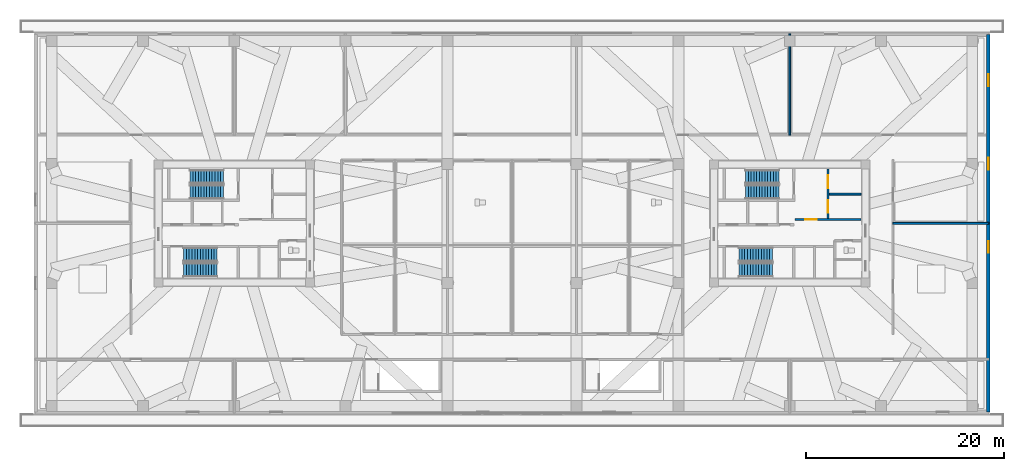
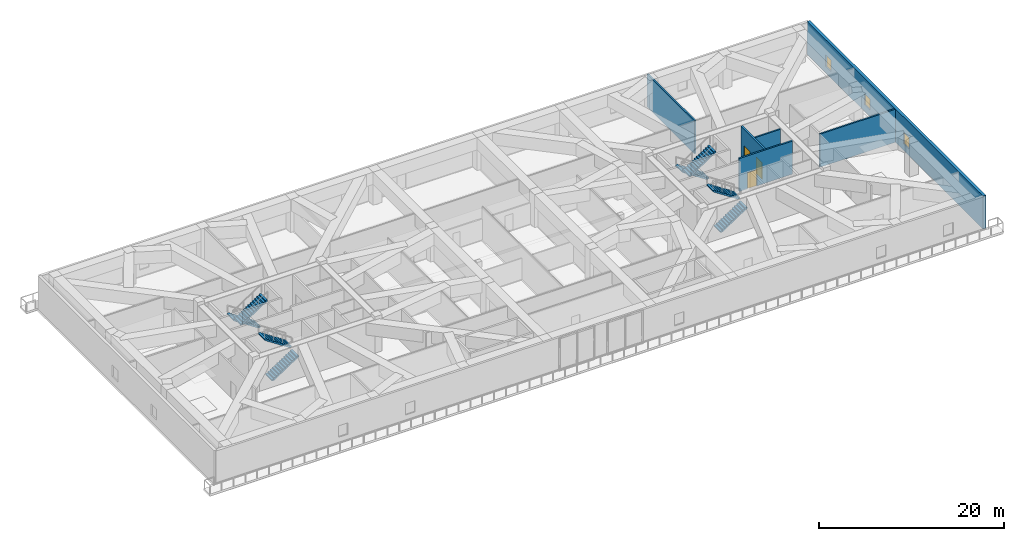
# One storey, part 12 of 21: 8 stair flights, 6 walls, 3 doors, 3 windows, 6 openings, 4 elements without a shape of their own.
"""IFC4 building model written with IfcOpenShell, lengths in metres."""

from ifc_helpers import new_model, si_unit, direction, frame, frame_2d, origin, place, context, subcontext, project, spatial, polyline, rectangle, outline, extrude, source, transform, mapped, material, layer, layer_set, type_object, type_shapes, element, fill, aggregate, save


model = new_model("IFC4")

# Units and contexts
model_context = context("Model", 3, precision=1e-05, world=origin(), true_north=direction((0.0, 1.0)))
body_context = subcontext(model_context, "Body", "Model", "MODEL_VIEW")
ifc_project = project(units=[si_unit("LENGTHUNIT", "METRE"), si_unit("AREAUNIT", "SQUARE_METRE"), si_unit("VOLUMEUNIT", "CUBIC_METRE"), si_unit("PLANEANGLEUNIT", "RADIAN"), si_unit("MASSUNIT", "GRAM", prefix="KILO")], contexts=[model_context])

# Site, building, storey
site_placement = place(None, origin())
site = spatial("IfcSite", under=ifc_project, at=site_placement, CompositionType="ELEMENT")
building_placement = place(site_placement, origin())
building = spatial("IfcBuilding", under=site, at=building_placement, Name="Norrkilde Senior Care Towers", CompositionType="ELEMENT")
storey_placement = place(building_placement, frame((0.0, 0.0, 16.800048828125)))
storey = spatial("IfcBuildingStorey", under=building, at=storey_placement, Name="L04", CompositionType="ELEMENT", Elevation=16.800048828125)

# Wall, openings, windows
ifc_material_1 = material(Name="Precast concrete C45/55", Category="concrete")
ifc_layer_1 = layer(ifc_material_1, 0.360107421875)
ifc_layer_set_1 = layer_set([ifc_layer_1], Name="Precast concrete C45/55")
wall_type_1 = type_object("IfcWallType", Name="Podium Facade Wall 360", PredefinedType="SOLIDWALL", material=ifc_layer_set_1)
shared_shape_1 = source(origin(), body_context, "Body", "SweptSolid", [
    extrude(rectangle(XDim=38.0400390625, YDim=0.360107421875, at=frame_2d((19.02001953125, 0.0))), origin(), (0.0, 0.0, 1.0), 4.3798828125),
])
type_shapes(wall_type_1, [shared_shape_1])
wall_1_placement = place(storey_placement, frame((48.02001953125, 19.02001953125, 0.0), z_axis=(0.0, 0.0, 1.0), x_axis=(0.0, -1.0, 0.0)))
wall_1 = element("IfcWall", 1, at=wall_1_placement, inside=storey, type_object=wall_type_1, Name="L04 Podium E Facade Wall", PredefinedType="SOLIDWALL", context=body_context, shape_type="MappedRepresentation", body=[
    mapped(shared_shape_1, transform((0.0, 0.0, 0.0), x_axis=(1.0, 0.0, 0.0), y_axis=(0.0, 1.0, 0.0), z_axis=(0.0, 0.0, 1.0), scale=1.0)),
])
opening_1_placement = place(wall_1_placement, frame((4.0, 0.0, 0.85009765625)))
opening_1 = element("IfcOpeningElement", 2, at=opening_1_placement, cuts=wall_1, Name="Opening WN-07", PredefinedType="OPENING", context=body_context, shape_type="SweptSolid", body=[
    extrude(rectangle(XDim=1.199951171875, YDim=1.5, at=frame_2d((0.60009765625, 0.75))), frame((0.0, 0.18994140625, 0.0), z_axis=(0.0, -1.0, 0.0), x_axis=(1.0, 0.0, 0.0)), (0.0, 0.0, 1.0), 0.380126953125),
])
opening_2_placement = place(wall_1_placement, frame((12.39990234375, 0.0, 0.85009765625)))
opening_2 = element("IfcOpeningElement", 3, at=opening_2_placement, cuts=wall_1, Name="Opening WN-07", PredefinedType="OPENING", context=body_context, shape_type="SweptSolid", body=[
    extrude(rectangle(XDim=1.199951171875, YDim=1.5, at=frame_2d((0.60009765625, 0.75))), frame((0.0, 0.18994140625, 0.0), z_axis=(0.0, -1.0, 0.0), x_axis=(1.0, 0.0, 0.0)), (0.0, 0.0, 1.0), 0.380126953125),
])
opening_3_placement = place(wall_1_placement, frame((20.800048828125, 0.0, 0.85009765625)))
opening_3 = element("IfcOpeningElement", 4, at=opening_3_placement, cuts=wall_1, Name="Opening WN-07", PredefinedType="OPENING", context=body_context, shape_type="SweptSolid", body=[
    extrude(rectangle(XDim=1.199951171875, YDim=1.5, at=frame_2d((0.60009765625, 0.75))), frame((0.0, 0.18994140625, 0.0), z_axis=(0.0, -1.0, 0.0), x_axis=(1.0, 0.0, 0.0)), (0.0, 0.0, 1.0), 0.380126953125),
])
ifc_material_2 = material(Name="Triple Low-E Insulated Glazing", Category="glass")
window_type = type_object("IfcWindowType", Name="Stairwell Smoke Vent Window 1200x1500", PartitioningType="SINGLE_PANEL", PredefinedType="WINDOW", material=ifc_material_2)
shared_shape_2 = source(origin(), body_context, "Body", "SweptSolid", [
    extrude(rectangle(XDim=1.199951171875, YDim=1.5, at=frame_2d((0.60009765625, 0.75))), frame((0.0, 0.030029296875, 0.0), z_axis=(0.0, -1.0, 0.0), x_axis=(1.0, 0.0, 0.0)), (0.0, 0.0, 1.0), 0.06005859375),
])
type_shapes(window_type, [shared_shape_2])
window_1_placement = place(opening_1_placement, origin())
window_1 = element("IfcWindow", 5, at=window_1_placement, inside=storey, type_object=window_type, Name="L04 E Window 01", OverallHeight=1.5, OverallWidth=1.199951171875, PartitioningType="SINGLE_PANEL", PredefinedType="WINDOW", context=body_context, shape_type="MappedRepresentation", body=[
    mapped(shared_shape_2, transform((0.0, 0.0, 0.0), x_axis=(1.0, 0.0, 0.0), y_axis=(0.0, 1.0, 0.0), z_axis=(0.0, 0.0, 1.0), scale=1.0)),
])
fill(opening_1, window_1)
window_2_placement = place(opening_2_placement, origin())
window_2 = element("IfcWindow", 6, at=window_2_placement, inside=storey, type_object=window_type, Name="L04 E Window 02", OverallHeight=1.5, OverallWidth=1.199951171875, PartitioningType="SINGLE_PANEL", PredefinedType="WINDOW", context=body_context, shape_type="MappedRepresentation", body=[
    mapped(shared_shape_2, transform((0.0, 0.0, 0.0), x_axis=(1.0, 0.0, 0.0), y_axis=(0.0, 1.0, 0.0), z_axis=(0.0, 0.0, 1.0), scale=1.0)),
])
fill(opening_2, window_2)
window_3_placement = place(opening_3_placement, origin())
window_3 = element("IfcWindow", 7, at=window_3_placement, inside=storey, type_object=window_type, Name="L04 E Window 03", OverallHeight=1.5, OverallWidth=1.199951171875, PartitioningType="SINGLE_PANEL", PredefinedType="WINDOW", context=body_context, shape_type="MappedRepresentation", body=[
    mapped(shared_shape_2, transform((0.0, 0.0, 0.0), x_axis=(1.0, 0.0, 0.0), y_axis=(0.0, 1.0, 0.0), z_axis=(0.0, 0.0, 1.0), scale=1.0)),
])
fill(opening_3, window_3)

# Wall, openings, doors
ifc_material_3 = material(Name="Concrete C45/55", Category="concrete")
ifc_layer_2 = layer(ifc_material_3, 0.239990234375)
ifc_layer_set_2 = layer_set([ifc_layer_2], Name="Concrete C45/55")
wall_type_2 = type_object("IfcWallType", Name="Lift and Plant Rated Enclosure Partition 240", PredefinedType="PARTITIONING", material=ifc_layer_set_2)
shared_shape_3 = source(origin(), body_context, "Body", "SweptSolid", [
    extrude(rectangle(XDim=5.0, YDim=0.239990234375, at=frame_2d((2.5, 0.0))), origin(), (0.0, 0.0, 1.0), 4.364990234375),
])
type_shapes(wall_type_2, [shared_shape_3])
wall_2_placement = place(storey_placement, frame((31.860107421875, 0.5, 0.0), z_axis=(0.0, 0.0, 1.0), x_axis=(0.0, 1.0, 0.0)))
wall_2 = element("IfcWall", 8, at=wall_2_placement, inside=storey, type_object=wall_type_2, Name="WL-INT-L04-E-FFLE", PredefinedType="PARTITIONING", context=body_context, shape_type="MappedRepresentation", body=[
    mapped(shared_shape_3, transform((0.0, 0.0, 0.0), x_axis=(1.0, 0.0, 0.0), y_axis=(0.0, 1.0, 0.0), z_axis=(0.0, 0.0, 1.0), scale=1.0)),
])
opening_4_placement = place(wall_2_placement, frame((3.050048828125, 0.0, 0.0)))
opening_4 = element("IfcOpeningElement", 9, at=opening_4_placement, cuts=wall_2, Name="Opening LD-02", PredefinedType="OPENING", context=body_context, shape_type="SweptSolid", body=[
    extrude(rectangle(XDim=1.300048828125, YDim=2.199951171875, at=frame_2d((0.64990234375, 1.10009765625))), frame((0.0, 0.1298828125, 0.0), z_axis=(0.0, -1.0, 0.0), x_axis=(1.0, 0.0, 0.0)), (0.0, 0.0, 1.0), 0.260009765625),
])
opening_5_placement = place(wall_2_placement, frame((0.550048828125, 0.0, 0.0)))
opening_5 = element("IfcOpeningElement", 10, at=opening_5_placement, cuts=wall_2, Name="Opening LD-02", PredefinedType="OPENING", context=body_context, shape_type="SweptSolid", body=[
    extrude(rectangle(XDim=1.300048828125, YDim=2.199951171875, at=frame_2d((0.64990234375, 1.10009765625))), frame((0.0, 0.1298828125, 0.0), z_axis=(0.0, -1.0, 0.0), x_axis=(1.0, 0.0, 0.0)), (0.0, 0.0, 1.0), 0.260009765625),
])
ifc_material_4 = material(Name="Stainless Steel", Category="steel")
door_type_1 = type_object("IfcDoorType", Name="Stretcher and FFL Landing Sliding Door 1300x2200", OperationType="NOTDEFINED", PredefinedType="DOOR", material=ifc_material_4)
shared_shape_4 = source(origin(), body_context, "Body", "SweptSolid", [
    extrude(rectangle(XDim=1.300048828125, YDim=2.199951171875, at=frame_2d((0.64990234375, 1.10009765625))), frame((0.0, 0.02490234375, 0.0), z_axis=(0.0, -1.0, 0.0), x_axis=(1.0, 0.0, 0.0)), (0.0, 0.0, 1.0), 0.050048828125),
])
type_shapes(door_type_1, [shared_shape_4])
door_1_placement = place(opening_4_placement, origin())
door_1 = element("IfcDoor", 11, at=door_1_placement, inside=storey, type_object=door_type_1, Name="L04 Firefighting Lift E1 Landing Door", OperationType="SLIDING_TO_LEFT", OverallHeight=2.199951171875, OverallWidth=1.300048828125, PredefinedType="DOOR", context=body_context, shape_type="MappedRepresentation", body=[
    mapped(shared_shape_4, transform((0.0, 0.0, 0.0), x_axis=(1.0, 0.0, 0.0), y_axis=(0.0, 1.0, 0.0), z_axis=(0.0, 0.0, 1.0), scale=1.0)),
])
fill(opening_4, door_1)
door_2_placement = place(opening_5_placement, origin())
door_2 = element("IfcDoor", 12, at=door_2_placement, inside=storey, type_object=door_type_1, Name="L04 Stretcher Lift E1 Landing Door", OperationType="SLIDING_TO_RIGHT", OverallHeight=2.199951171875, OverallWidth=1.300048828125, PredefinedType="DOOR", context=body_context, shape_type="MappedRepresentation", body=[
    mapped(shared_shape_4, transform((0.0, 0.0, 0.0), x_axis=(1.0, 0.0, 0.0), y_axis=(0.0, 1.0, 0.0), z_axis=(0.0, 0.0, 1.0), scale=1.0)),
])
fill(opening_5, door_2)

# Wall
ifc_layer_3 = layer(ifc_material_3, 0.199951171875)
ifc_layer_set_3 = layer_set([ifc_layer_3], Name="Concrete C45/55")
wall_type_3 = type_object("IfcWallType", Name="Shaft Division and Plant Partition 200", PredefinedType="PARTITIONING", material=ifc_layer_set_3)
shared_shape_5 = source(origin(), body_context, "Body", "SweptSolid", [
    extrude(rectangle(XDim=3.199951171875, YDim=0.199951171875, at=frame_2d((1.60009765625, 0.0))), origin(), (0.0, 0.0, 1.0), 4.364990234375),
])
type_shapes(wall_type_3, [shared_shape_5])
wall_3_placement = place(storey_placement, frame((32.0, 2.949951171875, 0.0), z_axis=(0.0, 0.0, 1.0), x_axis=(1.0, 0.0, 0.0)))
element("IfcWall", 13, at=wall_3_placement, inside=storey, type_object=wall_type_3, Name="WL-INT-L04-E-FFLDIV", PredefinedType="PARTITIONING", context=body_context, shape_type="MappedRepresentation", body=[
    mapped(shared_shape_5, transform((0.0, 0.0, 0.0), x_axis=(1.0, 0.0, 0.0), y_axis=(0.0, 1.0, 0.0), z_axis=(0.0, 0.0, 1.0), scale=1.0)),
])

# Wall, opening, door
ifc_layer_4 = layer(ifc_material_3, 0.2099609375)
ifc_layer_set_4 = layer_set([ifc_layer_4], Name="Concrete C45/55")
wall_type_4 = type_object("IfcWallType", Name="Firefighting Lobby Wall 210", PredefinedType="PARTITIONING", material=ifc_layer_set_4)
shared_shape_6 = source(origin(), body_context, "Body", "SweptSolid", [
    extrude(rectangle(XDim=6.659912109375, YDim=0.2099609375, at=frame_2d((3.330078125, 0.0))), origin(), (0.0, 0.0, 1.0), 4.364990234375),
])
type_shapes(wall_type_4, [shared_shape_6])
wall_4_placement = place(storey_placement, frame((28.5400390625, 0.389892578125, 0.0), z_axis=(0.0, 0.0, 1.0), x_axis=(1.0, 0.0, 0.0)))
wall_4 = element("IfcWall", 14, at=wall_4_placement, inside=storey, type_object=wall_type_4, Name="WL-INT-L04-E-FFLS", PredefinedType="PARTITIONING", context=body_context, shape_type="MappedRepresentation", body=[
    mapped(shared_shape_6, transform((0.0, 0.0, 0.0), x_axis=(1.0, 0.0, 0.0), y_axis=(0.0, 1.0, 0.0), z_axis=(0.0, 0.0, 1.0), scale=1.0)),
])
opening_6_placement = place(wall_4_placement, frame((1.0, 0.0, 0.0)))
opening_6 = element("IfcOpeningElement", 15, at=opening_6_placement, cuts=wall_4, Name="Opening D-04", PredefinedType="OPENING", context=body_context, shape_type="SweptSolid", body=[
    extrude(rectangle(XDim=1.199951171875, YDim=2.14990234375, at=frame_2d((0.60009765625, 1.074951171875))), frame((0.0, 0.114990234375, 0.0), z_axis=(0.0, -1.0, 0.0), x_axis=(1.0, 0.0, 0.0)), (0.0, 0.0, 1.0), 0.22998046875),
])
ifc_material_5 = material(Name="Galvanised Painted Steel", Category="steel")
door_type_2 = type_object("IfcDoorType", Name="Firefighting Lobby Fire Door 1200x2150", OperationType="NOTDEFINED", PredefinedType="DOOR", material=ifc_material_5)
shared_shape_7 = source(origin(), body_context, "Body", "SweptSolid", [
    extrude(rectangle(XDim=1.199951171875, YDim=2.14990234375, at=frame_2d((0.60009765625, 1.074951171875))), frame((0.0, 0.02490234375, 0.0), z_axis=(0.0, -1.0, 0.0), x_axis=(1.0, 0.0, 0.0)), (0.0, 0.0, 1.0), 0.050048828125),
])
type_shapes(door_type_2, [shared_shape_7])
door_3_placement = place(opening_6_placement, frame((1.199951171875, 0.0, 0.0), z_axis=(0.0, 0.0, 1.0), x_axis=(-1.0, 0.0, 0.0)))
door_3 = element("IfcDoor", 16, at=door_3_placement, inside=storey, type_object=door_type_2, Name="L04 Firefighting Lobby E Door", OperationType="SINGLE_SWING_LEFT", OverallHeight=2.14990234375, OverallWidth=1.199951171875, PredefinedType="DOOR", context=body_context, shape_type="MappedRepresentation", body=[
    mapped(shared_shape_7, transform((0.0, 0.0, 0.0), x_axis=(1.0, 0.0, 0.0), y_axis=(0.0, 1.0, 0.0), z_axis=(0.0, 0.0, 1.0), scale=1.0)),
])
fill(opening_6, door_3)

# Walls
ifc_material_6 = material(Name="Gypsum Acoustic Board")
ifc_layer_5 = layer(ifc_material_6, 0.18994140625)
ifc_layer_set_5 = layer_set([ifc_layer_5], Name="Gypsum Acoustic Board")
wall_type_5 = type_object("IfcWallType", Name="Unit Demising Acoustic Wall 190", PredefinedType="PARTITIONING", material=ifc_layer_set_5)
shared_shape_8 = source(origin(), body_context, "Body", "SweptSolid", [
    extrude(rectangle(XDim=9.650146484375, YDim=0.18994140625, at=frame_2d((4.8251953125, 0.0))), origin(), (0.0, 0.0, 1.0), 4.364990234375),
])
wall_5_placement = place(storey_placement, frame((38.39990234375, 0.0, 0.0), z_axis=(0.0, 0.0, 1.0), x_axis=(1.0, 0.0, 0.0)))
element("IfcWall", 17, at=wall_5_placement, inside=storey, type_object=wall_type_5, Name="WL-INT-L04-POD-OEH", PredefinedType="PARTITIONING", context=body_context, shape_type="MappedRepresentation", body=[
    mapped(shared_shape_8, transform((0.0, 0.0, 0.0), x_axis=(1.0, 0.0, 0.0), y_axis=(0.0, 1.0, 0.0), z_axis=(0.0, 0.0, 1.0), scale=1.0)),
])
shared_shape_9 = source(origin(), body_context, "Body", "SweptSolid", [
    extrude(rectangle(XDim=10.2001953125, YDim=0.18994140625, at=frame_2d((5.10009765625, 0.0))), origin(), (0.0, 0.0, 1.0), 4.364990234375),
])
type_shapes(wall_type_5, [shared_shape_8, shared_shape_9])
wall_6_placement = place(storey_placement, frame((28.0, 8.89990234375, 0.0), z_axis=(0.0, 0.0, 1.0), x_axis=(0.0, 1.0, 0.0)))
element("IfcWall", 18, at=wall_6_placement, inside=storey, type_object=wall_type_5, Name="WL-INT-L04-POD-NPV4", PredefinedType="PARTITIONING", context=body_context, shape_type="MappedRepresentation", body=[
    mapped(shared_shape_9, transform((0.0, 0.0, 0.0), x_axis=(1.0, 0.0, 0.0), y_axis=(0.0, 1.0, 0.0), z_axis=(0.0, 0.0, 1.0), scale=1.0)),
])

# Stair, stair flights
stair_type = type_object("IfcStairType", Name="Core Protected Dogleg Stair Transfer 4800", PredefinedType="HALF_TURN_STAIR", material=ifc_material_3)
stair_1_placement = place(storey_placement, origin())
stair_1 = element("IfcStair", 19, at=stair_1_placement, inside=storey, type_object=stair_type, Name="L04 Protected Core Stair W1", PredefinedType="HALF_TURN_STAIR")
stair_flight_type = type_object("IfcStairFlightType", Name="Core Protected Dogleg Stair Transfer 4800 Flight", PredefinedType="STRAIGHT", material=ifc_material_3)
stair_flight_1_placement = place(storey_placement, frame((-29.10009765625, 4.699951171875, 0.0), z_axis=(0.0, 0.0, 1.0), x_axis=(-1.0, 0.0, 0.0)))
stair_flight_1 = element("IfcStairFlight", 20, at=stair_flight_1_placement, type_object=stair_flight_type, Name="ST-W1 flight 1", NumberOfRisers=13, NumberOfTreads=12, PredefinedType="STRAIGHT", RiserHeight=0.184615385, TreadLength=0.28, context=body_context, shape_type="SweptSolid", body=[
    extrude(outline(polyline([(0.0, 0.0), (0.0, 0.1845703125), (0.280029296875, 0.1845703125), (0.280029296875, 0.369140625), (0.56005859375, 0.369140625), (0.56005859375, 0.553955078125), (0.840087890625, 0.553955078125), (0.840087890625, 0.738525390625), (1.1201171875, 0.738525390625), (1.1201171875, 0.923095703125), (1.39990234375, 0.923095703125), (1.39990234375, 1.107666015625), (1.679931640625, 1.107666015625), (1.679931640625, 1.292236328125), (1.9599609375, 1.292236328125), (1.9599609375, 1.476806640625), (2.239990234375, 1.476806640625), (2.239990234375, 1.66162109375), (2.52001953125, 1.66162109375), (2.52001953125, 1.84619140625), (2.800048828125, 1.84619140625), (2.800048828125, 2.03076171875), (3.080078125, 2.03076171875), (3.080078125, 2.21533203125), (3.360107421875, 2.21533203125), (3.360107421875, 2.39990234375), (3.360107421875, 2.035888671875), (0.272216796875, 0.0), (0.0, 0.0)])), frame((0.0, 0.699951171875, 0.0), z_axis=(0.0, -1.0, 0.0), x_axis=(1.0, 0.0, 0.0)), (0.0, 0.0, 1.0), 1.39990234375),
])
stair_flight_2_placement = place(storey_placement, frame((-32.4599609375, 3.14990234375, 2.39990234375), z_axis=(0.0, 0.0, 1.0), x_axis=(1.0, 0.0, 0.0)))
stair_flight_2 = element("IfcStairFlight", 21, at=stair_flight_2_placement, type_object=stair_flight_type, Name="ST-W1 flight 2", NumberOfRisers=13, NumberOfTreads=12, PredefinedType="STRAIGHT", RiserHeight=0.184615385, TreadLength=0.28, context=body_context, shape_type="SweptSolid", body=[
    extrude(outline(polyline([(0.0, 0.0), (0.0, 0.1845703125), (0.280029296875, 0.1845703125), (0.280029296875, 0.369140625), (0.56005859375, 0.369140625), (0.56005859375, 0.553955078125), (0.840087890625, 0.553955078125), (0.840087890625, 0.738525390625), (1.1201171875, 0.738525390625), (1.1201171875, 0.923095703125), (1.39990234375, 0.923095703125), (1.39990234375, 1.107666015625), (1.679931640625, 1.107666015625), (1.679931640625, 1.292236328125), (1.9599609375, 1.292236328125), (1.9599609375, 1.476806640625), (2.239990234375, 1.476806640625), (2.239990234375, 1.66162109375), (2.52001953125, 1.66162109375), (2.52001953125, 1.84619140625), (2.800048828125, 1.84619140625), (2.800048828125, 2.03076171875), (3.080078125, 2.03076171875), (3.080078125, 2.21533203125), (3.360107421875, 2.21533203125), (3.360107421875, 2.39990234375), (3.360107421875, 2.035888671875), (0.272216796875, 0.0), (0.0, 0.0)])), frame((0.0, 0.699951171875, 0.0), z_axis=(0.0, -1.0, 0.0), x_axis=(1.0, 0.0, 0.0)), (0.0, 0.0, 1.0), 1.39990234375),
])
aggregate(stair_1, [stair_flight_1, stair_flight_2])

stair_2_placement = place(storey_placement, origin())
stair_2 = element("IfcStair", 22, at=stair_2_placement, inside=storey, type_object=stair_type, Name="L04 Protected Core Stair W2", PredefinedType="HALF_TURN_STAIR")
stair_flight_3_placement = place(storey_placement, frame((-33.10009765625, -4.699951171875, 0.0), z_axis=(0.0, 0.0, 1.0), x_axis=(1.0, 0.0, 0.0)))
stair_flight_3 = element("IfcStairFlight", 23, at=stair_flight_3_placement, type_object=stair_flight_type, Name="ST-W2 flight 1", NumberOfRisers=13, NumberOfTreads=12, PredefinedType="STRAIGHT", RiserHeight=0.184615385, TreadLength=0.28, context=body_context, shape_type="SweptSolid", body=[
    extrude(outline(polyline([(0.0, 0.0), (0.0, 0.1845703125), (0.280029296875, 0.1845703125), (0.280029296875, 0.369140625), (0.56005859375, 0.369140625), (0.56005859375, 0.553955078125), (0.840087890625, 0.553955078125), (0.840087890625, 0.738525390625), (1.1201171875, 0.738525390625), (1.1201171875, 0.923095703125), (1.39990234375, 0.923095703125), (1.39990234375, 1.107666015625), (1.679931640625, 1.107666015625), (1.679931640625, 1.292236328125), (1.9599609375, 1.292236328125), (1.9599609375, 1.476806640625), (2.239990234375, 1.476806640625), (2.239990234375, 1.66162109375), (2.52001953125, 1.66162109375), (2.52001953125, 1.84619140625), (2.800048828125, 1.84619140625), (2.800048828125, 2.03076171875), (3.080078125, 2.03076171875), (3.080078125, 2.21533203125), (3.360107421875, 2.21533203125), (3.360107421875, 2.39990234375), (3.360107421875, 2.035888671875), (0.272216796875, 0.0), (0.0, 0.0)])), frame((0.0, 0.699951171875, 0.0), z_axis=(0.0, -1.0, 0.0), x_axis=(1.0, 0.0, 0.0)), (0.0, 0.0, 1.0), 1.39990234375),
])
stair_flight_4_placement = place(storey_placement, frame((-29.739990234375, -3.14990234375, 2.39990234375), z_axis=(0.0, 0.0, 1.0), x_axis=(-1.0, 0.0, 0.0)))
stair_flight_4 = element("IfcStairFlight", 24, at=stair_flight_4_placement, type_object=stair_flight_type, Name="ST-W2 flight 2", NumberOfRisers=13, NumberOfTreads=12, PredefinedType="STRAIGHT", RiserHeight=0.184615385, TreadLength=0.28, context=body_context, shape_type="SweptSolid", body=[
    extrude(outline(polyline([(0.0, 0.0), (0.0, 0.1845703125), (0.280029296875, 0.1845703125), (0.280029296875, 0.369140625), (0.56005859375, 0.369140625), (0.56005859375, 0.553955078125), (0.840087890625, 0.553955078125), (0.840087890625, 0.738525390625), (1.1201171875, 0.738525390625), (1.1201171875, 0.923095703125), (1.39990234375, 0.923095703125), (1.39990234375, 1.107666015625), (1.679931640625, 1.107666015625), (1.679931640625, 1.292236328125), (1.9599609375, 1.292236328125), (1.9599609375, 1.476806640625), (2.239990234375, 1.476806640625), (2.239990234375, 1.66162109375), (2.52001953125, 1.66162109375), (2.52001953125, 1.84619140625), (2.800048828125, 1.84619140625), (2.800048828125, 2.03076171875), (3.080078125, 2.03076171875), (3.080078125, 2.21533203125), (3.360107421875, 2.21533203125), (3.360107421875, 2.39990234375), (3.360107421875, 2.035888671875), (0.272216796875, 0.0), (0.0, 0.0)])), frame((0.0, 0.699951171875, 0.0), z_axis=(0.0, -1.0, 0.0), x_axis=(1.0, 0.0, 0.0)), (0.0, 0.0, 1.0), 1.39990234375),
])
aggregate(stair_2, [stair_flight_3, stair_flight_4])

stair_3_placement = place(storey_placement, origin())
stair_3 = element("IfcStair", 25, at=stair_3_placement, inside=storey, type_object=stair_type, Name="L04 Protected Core Stair E1", PredefinedType="HALF_TURN_STAIR")
stair_flight_5_placement = place(storey_placement, frame((26.89990234375, 4.699951171875, 0.0), z_axis=(0.0, 0.0, 1.0), x_axis=(-1.0, 0.0, 0.0)))
stair_flight_5 = element("IfcStairFlight", 26, at=stair_flight_5_placement, type_object=stair_flight_type, Name="ST-E1 flight 1", NumberOfRisers=13, NumberOfTreads=12, PredefinedType="STRAIGHT", RiserHeight=0.184615385, TreadLength=0.28, context=body_context, shape_type="SweptSolid", body=[
    extrude(outline(polyline([(0.0, 0.0), (0.0, 0.1845703125), (0.280029296875, 0.1845703125), (0.280029296875, 0.369140625), (0.56005859375, 0.369140625), (0.56005859375, 0.553955078125), (0.840087890625, 0.553955078125), (0.840087890625, 0.738525390625), (1.1201171875, 0.738525390625), (1.1201171875, 0.923095703125), (1.39990234375, 0.923095703125), (1.39990234375, 1.107666015625), (1.679931640625, 1.107666015625), (1.679931640625, 1.292236328125), (1.9599609375, 1.292236328125), (1.9599609375, 1.476806640625), (2.239990234375, 1.476806640625), (2.239990234375, 1.66162109375), (2.52001953125, 1.66162109375), (2.52001953125, 1.84619140625), (2.800048828125, 1.84619140625), (2.800048828125, 2.03076171875), (3.080078125, 2.03076171875), (3.080078125, 2.21533203125), (3.360107421875, 2.21533203125), (3.360107421875, 2.39990234375), (3.360107421875, 2.035888671875), (0.272216796875, 0.0), (0.0, 0.0)])), frame((0.0, 0.699951171875, 0.0), z_axis=(0.0, -1.0, 0.0), x_axis=(1.0, 0.0, 0.0)), (0.0, 0.0, 1.0), 1.39990234375),
])
stair_flight_6_placement = place(storey_placement, frame((23.5400390625, 3.14990234375, 2.39990234375), z_axis=(0.0, 0.0, 1.0), x_axis=(1.0, 0.0, 0.0)))
stair_flight_6 = element("IfcStairFlight", 27, at=stair_flight_6_placement, type_object=stair_flight_type, Name="ST-E1 flight 2", NumberOfRisers=13, NumberOfTreads=12, PredefinedType="STRAIGHT", RiserHeight=0.184615385, TreadLength=0.28, context=body_context, shape_type="SweptSolid", body=[
    extrude(outline(polyline([(0.0, 0.0), (0.0, 0.1845703125), (0.280029296875, 0.1845703125), (0.280029296875, 0.369140625), (0.56005859375, 0.369140625), (0.56005859375, 0.553955078125), (0.840087890625, 0.553955078125), (0.840087890625, 0.738525390625), (1.1201171875, 0.738525390625), (1.1201171875, 0.923095703125), (1.39990234375, 0.923095703125), (1.39990234375, 1.107666015625), (1.679931640625, 1.107666015625), (1.679931640625, 1.292236328125), (1.9599609375, 1.292236328125), (1.9599609375, 1.476806640625), (2.239990234375, 1.476806640625), (2.239990234375, 1.66162109375), (2.52001953125, 1.66162109375), (2.52001953125, 1.84619140625), (2.800048828125, 1.84619140625), (2.800048828125, 2.03076171875), (3.080078125, 2.03076171875), (3.080078125, 2.21533203125), (3.360107421875, 2.21533203125), (3.360107421875, 2.39990234375), (3.360107421875, 2.035888671875), (0.272216796875, 0.0), (0.0, 0.0)])), frame((0.0, 0.699951171875, 0.0), z_axis=(0.0, -1.0, 0.0), x_axis=(1.0, 0.0, 0.0)), (0.0, 0.0, 1.0), 1.39990234375),
])
aggregate(stair_3, [stair_flight_5, stair_flight_6])

stair_4_placement = place(storey_placement, origin())
stair_4 = element("IfcStair", 28, at=stair_4_placement, inside=storey, type_object=stair_type, Name="L04 Protected Core Stair E2", PredefinedType="HALF_TURN_STAIR")
stair_flight_7_placement = place(storey_placement, frame((22.89990234375, -4.699951171875, 0.0), z_axis=(0.0, 0.0, 1.0), x_axis=(1.0, 0.0, 0.0)))
stair_flight_7 = element("IfcStairFlight", 29, at=stair_flight_7_placement, type_object=stair_flight_type, Name="ST-E2 flight 1", NumberOfRisers=13, NumberOfTreads=12, PredefinedType="STRAIGHT", RiserHeight=0.184615385, TreadLength=0.28, context=body_context, shape_type="SweptSolid", body=[
    extrude(outline(polyline([(0.0, 0.0), (0.0, 0.1845703125), (0.280029296875, 0.1845703125), (0.280029296875, 0.369140625), (0.56005859375, 0.369140625), (0.56005859375, 0.553955078125), (0.840087890625, 0.553955078125), (0.840087890625, 0.738525390625), (1.1201171875, 0.738525390625), (1.1201171875, 0.923095703125), (1.39990234375, 0.923095703125), (1.39990234375, 1.107666015625), (1.679931640625, 1.107666015625), (1.679931640625, 1.292236328125), (1.9599609375, 1.292236328125), (1.9599609375, 1.476806640625), (2.239990234375, 1.476806640625), (2.239990234375, 1.66162109375), (2.52001953125, 1.66162109375), (2.52001953125, 1.84619140625), (2.800048828125, 1.84619140625), (2.800048828125, 2.03076171875), (3.080078125, 2.03076171875), (3.080078125, 2.21533203125), (3.360107421875, 2.21533203125), (3.360107421875, 2.39990234375), (3.360107421875, 2.035888671875), (0.272216796875, 0.0), (0.0, 0.0)])), frame((0.0, 0.699951171875, 0.0), z_axis=(0.0, -1.0, 0.0), x_axis=(1.0, 0.0, 0.0)), (0.0, 0.0, 1.0), 1.39990234375),
])
stair_flight_8_placement = place(storey_placement, frame((26.260009765625, -3.14990234375, 2.39990234375), z_axis=(0.0, 0.0, 1.0), x_axis=(-1.0, 0.0, 0.0)))
stair_flight_8 = element("IfcStairFlight", 30, at=stair_flight_8_placement, type_object=stair_flight_type, Name="ST-E2 flight 2", NumberOfRisers=13, NumberOfTreads=12, PredefinedType="STRAIGHT", RiserHeight=0.184615385, TreadLength=0.28, context=body_context, shape_type="SweptSolid", body=[
    extrude(outline(polyline([(0.0, 0.0), (0.0, 0.1845703125), (0.280029296875, 0.1845703125), (0.280029296875, 0.369140625), (0.56005859375, 0.369140625), (0.56005859375, 0.553955078125), (0.840087890625, 0.553955078125), (0.840087890625, 0.738525390625), (1.1201171875, 0.738525390625), (1.1201171875, 0.923095703125), (1.39990234375, 0.923095703125), (1.39990234375, 1.107666015625), (1.679931640625, 1.107666015625), (1.679931640625, 1.292236328125), (1.9599609375, 1.292236328125), (1.9599609375, 1.476806640625), (2.239990234375, 1.476806640625), (2.239990234375, 1.66162109375), (2.52001953125, 1.66162109375), (2.52001953125, 1.84619140625), (2.800048828125, 1.84619140625), (2.800048828125, 2.03076171875), (3.080078125, 2.03076171875), (3.080078125, 2.21533203125), (3.360107421875, 2.21533203125), (3.360107421875, 2.39990234375), (3.360107421875, 2.035888671875), (0.272216796875, 0.0), (0.0, 0.0)])), frame((0.0, 0.699951171875, 0.0), z_axis=(0.0, -1.0, 0.0), x_axis=(1.0, 0.0, 0.0)), (0.0, 0.0, 1.0), 1.39990234375),
])
aggregate(stair_4, [stair_flight_7, stair_flight_8])

save(model, "model.ifc")
